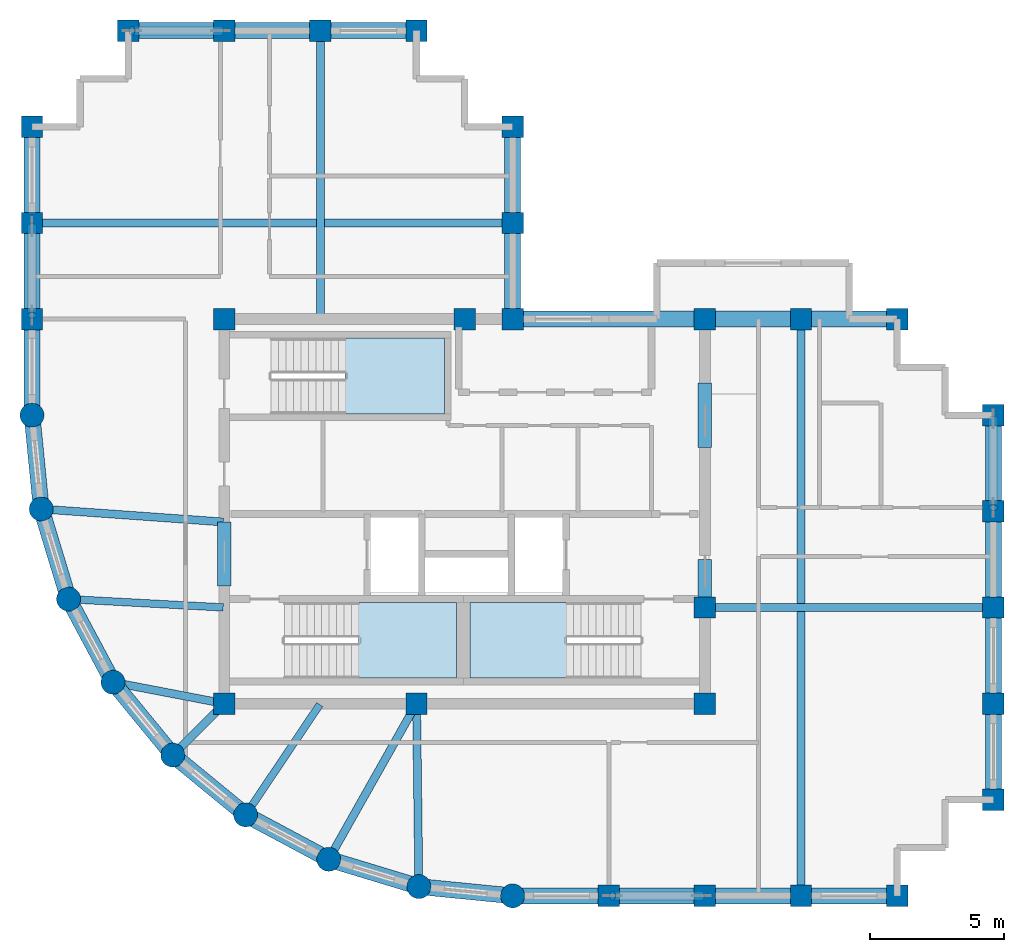
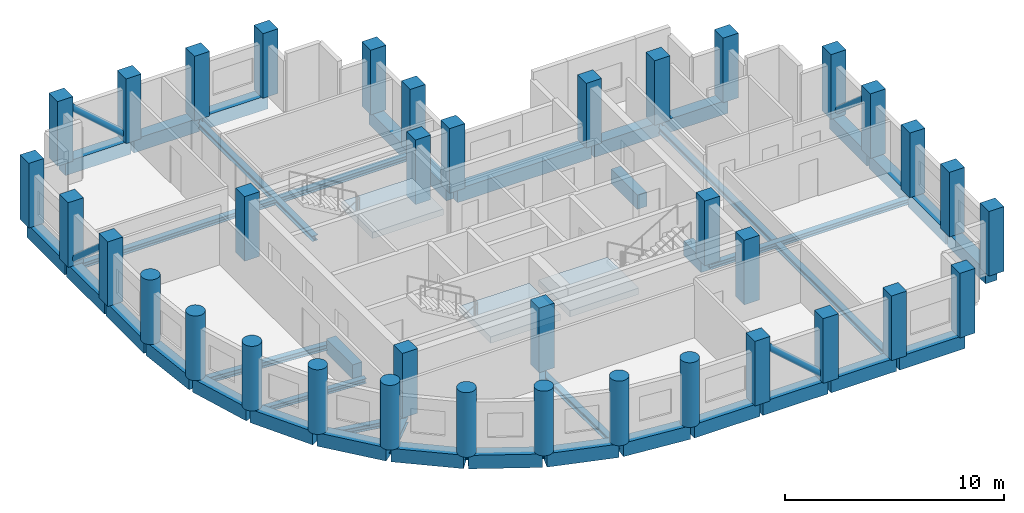
# One storey, part 1 of 6: 41 beams, 37 columns, 4 members, 3 slabs, 3 elements without a shape of their own.
"""IFC4 building model written with IfcOpenShell, lengths in metres."""

from ifc_helpers import new_model, si_unit, direction, frame, origin, origin_2d, place, context, subcontext, project, spatial, polyline, rectangle, circle, hollow_circle, i_section, outline, extrude, material, layer, layer_set, material_profile, profile_set, type_object, element, aggregate, save


model = new_model("IFC4")

# Units and contexts
model_context = context("Model", 3, precision=1e-05, world=origin(), true_north=direction((0.0, 1.0)))
body_context = subcontext(model_context, "Body", "Model", "MODEL_VIEW")
ifc_project = project(units=[si_unit("LENGTHUNIT", "METRE"), si_unit("AREAUNIT", "SQUARE_METRE"), si_unit("VOLUMEUNIT", "CUBIC_METRE"), si_unit("PLANEANGLEUNIT", "RADIAN"), si_unit("MASSUNIT", "GRAM", prefix="KILO")], contexts=[model_context])

# Site, building, storey
site_placement = place(None, origin())
site = spatial("IfcSite", under=ifc_project, at=site_placement, CompositionType="ELEMENT")
building_placement = place(site_placement, origin())
building = spatial("IfcBuilding", under=site, at=building_placement, Name="Solnavia Interchange Tower", CompositionType="ELEMENT")
storey_placement = place(building_placement, frame((0.0, 0.0, 246.199951171875)))
storey = spatial("IfcBuildingStorey", under=building, at=storey_placement, Name="L62", CompositionType="ELEMENT", Elevation=246.199951171875)

# Columns
ifc_material_1 = material(Name="Concrete C50/60", Category="concrete")
ifc_material_profile_1 = material_profile(ifc_material_1, rectangle(XDim=0.800048828125, YDim=0.800048828125, at=origin_2d()), Name="RC 800x800")
ifc_profile_set_1 = profile_set([ifc_material_profile_1], Name="Concrete C50/60")
column_type_1 = type_object("IfcColumnType", Name="Col-RC-800x800", PredefinedType="COLUMN", material=ifc_profile_set_1)
for number, where, z_axis, x_axis, name in (
    (1, (7.199951171875, 25.199951171875, 0.0), (0.0, 0.0, 1.0), (0.0, 1.0, 0.0), "COL-L62-02 Tower perim y column"),
    (2, (7.199951171875, 28.800048828125, 0.0), (0.0, 0.0, 1.0), (0.0, 1.0, 0.0), "COL-L62-03 Tower perim y column"),
    (3, (7.199951171875, 32.39990234375, 0.0), (0.0, 0.0, 1.0), (0.0, 1.0, 0.0), "COL-L62-04 Tower corner column"),
    (4, (10.800048828125, 36.0, 0.0), (0.0, 0.0, 1.0), (1.0, 0.0, 0.0), "COL-L62-08 Tower corner column"),
    (5, (14.39990234375, 10.800048828125, 0.0), (0.0, 0.0, 1.0), (1.0, 0.0, 0.0), "COL-L62-10 Tower interior column"),
    (6, (14.39990234375, 25.199951171875, 0.0), (0.0, 0.0, 1.0), (1.0, 0.0, 0.0), "COL-L62-11 Tower interior column"),
    (7, (14.39990234375, 36.0, 0.0), (0.0, 0.0, 1.0), (1.0, 0.0, 0.0), "COL-L62-12 Tower perim x column"),
    (8, (18.0, 36.0, 0.0), (0.0, 0.0, 1.0), (1.0, 0.0, 0.0), "COL-L62-14 Tower perim x column"),
    (9, (21.60009765625, 10.800048828125, 0.0), (0.0, 0.0, 1.0), (1.0, 0.0, 0.0), "COL-L62-16 Tower interior column"),
    (10, (21.60009765625, 36.0, 0.0), (0.0, 0.0, 1.0), (1.0, 0.0, 0.0), "COL-L62-17 Tower corner column"),
    (11, (23.39990234375, 25.199951171875, 0.0), (0.0, 0.0, 1.0), (1.0, 0.0, 0.0), "COL-L62-19 Tower interior column"),
    (12, (25.199951171875, 25.199951171875, 0.0), (0.0, 0.0, 1.0), (1.0, 0.0, 0.0), "COL-L62-21 Tower interior column"),
    (13, (25.199951171875, 28.800048828125, 0.0), (0.0, 0.0, 1.0), (0.0, 1.0, 0.0), "COL-L62-22 Tower perim y column"),
    (14, (25.199951171875, 32.39990234375, 0.0), (0.0, 0.0, 1.0), (0.0, 1.0, 0.0), "COL-L62-23 Tower corner column"),
    (15, (28.800048828125, 3.60009765625, 0.0), (0.0, 0.0, 1.0), (1.0, 0.0, 0.0), "COL-L62-24 Tower perim x column"),
    (16, (32.39990234375, 3.60009765625, 0.0), (0.0, 0.0, 1.0), (1.0, 0.0, 0.0), "COL-L62-25 Tower perim x column"),
    (17, (32.39990234375, 10.800048828125, 0.0), (0.0, 0.0, 1.0), (1.0, 0.0, 0.0), "COL-L62-26 Tower interior column"),
    (18, (32.39990234375, 14.39990234375, 0.0), (0.0, 0.0, 1.0), (1.0, 0.0, 0.0), "COL-L62-27 Tower interior column"),
    (19, (32.39990234375, 25.199951171875, 0.0), (0.0, 0.0, 1.0), (1.0, 0.0, 0.0), "COL-L62-28 Tower interior column"),
    (20, (36.0, 3.60009765625, 0.0), (0.0, 0.0, 1.0), (1.0, 0.0, 0.0), "COL-L62-29 Tower perim x column"),
    (21, (36.0, 25.199951171875, 0.0), (0.0, 0.0, 1.0), (1.0, 0.0, 0.0), "COL-L62-30 Tower perim x column"),
    (22, (39.60009765625, 3.60009765625, 0.0), (0.0, 0.0, 1.0), (1.0, 0.0, 0.0), "COL-L62-31 Tower corner column"),
    (23, (39.60009765625, 25.199951171875, 0.0), (0.0, 0.0, 1.0), (1.0, 0.0, 0.0), "COL-L62-32 Tower corner column"),
    (24, (43.199951171875, 7.199951171875, 0.0), (0.0, 0.0, 1.0), (1.0, 0.0, 0.0), "COL-L62-33 Tower corner column"),
    (25, (43.199951171875, 10.800048828125, 0.0), (0.0, 0.0, 1.0), (0.0, 1.0, 0.0), "COL-L62-34 Tower perim y column"),
    (26, (43.199951171875, 14.39990234375, 0.0), (0.0, 0.0, 1.0), (0.0, 1.0, 0.0), "COL-L62-35 Tower perim y column"),
    (27, (43.199951171875, 18.0, 0.0), (0.0, 0.0, 1.0), (0.0, 1.0, 0.0), "COL-L62-36 Tower perim y column"),
    (28, (43.199951171875, 21.60009765625, 0.0), (0.0, 0.0, 1.0), (0.0, 1.0, 0.0), "COL-L62-37 Tower corner column"),
):
    element("IfcColumn", number, at=place(storey_placement, frame(where, z_axis=z_axis, x_axis=x_axis)), inside=storey, type_object=column_type_1, Name=name, PredefinedType="COLUMN", context=body_context, shape_type="SweptSolid", body=[
        extrude(rectangle(XDim=0.800048828125, YDim=0.800048828125, at=origin_2d()), origin(), (0.0, 0.0, 1.0), 3.60009765625),
    ])
ifc_material_profile_2 = material_profile(ifc_material_1, circle(Radius=0.449951171875, at=origin_2d()), Name="RC D900")
ifc_profile_set_2 = profile_set([ifc_material_profile_2], Name="Concrete C50/60")
column_type_2 = type_object("IfcColumnType", Name="Col-RC-D900", PredefinedType="COLUMN", material=ifc_profile_set_2)
for number, where, z_axis, x_axis, name in (
    (29, (7.199951171875, 21.60009765625, 0.0), (0.0, 0.0, 1.0), (1.0, 0.0, 0.0), "COL-L62-01 Tower drum column"),
    (30, (7.5458984375, 18.087890625, 0.0), (0.0, 0.0, 1.0), (1.0, 0.0, 0.0), "COL-L62-05 Tower drum column"),
    (31, (8.570068359375, 14.7119140625, 0.0), (0.0, 0.0, 1.0), (1.0, 0.0, 0.0), "COL-L62-06 Tower drum column"),
    (32, (10.23388671875, 11.60009765625, 0.0), (0.0, 0.0, 1.0), (1.0, 0.0, 0.0), "COL-L62-07 Tower drum column"),
    (33, (12.471923828125, 8.8720703125, 0.0), (0.0, 0.0, 1.0), (1.0, 0.0, 0.0), "COL-L62-09 Tower drum column"),
    (34, (15.199951171875, 6.634033203125, 0.0), (0.0, 0.0, 1.0), (1.0, 0.0, 0.0), "COL-L62-13 Tower drum column"),
    (35, (18.31201171875, 4.969970703125, 0.0), (0.0, 0.0, 1.0), (1.0, 0.0, 0.0), "COL-L62-15 Tower drum column"),
    (36, (21.68798828125, 3.946044921875, 0.0), (0.0, 0.0, 1.0), (1.0, 0.0, 0.0), "COL-L62-18 Tower drum column"),
    (37, (25.199951171875, 3.60009765625, 0.0), (0.0, 0.0, 1.0), (1.0, 0.0, 0.0), "COL-L62-20 Tower drum column"),
):
    element("IfcColumn", number, at=place(storey_placement, frame(where, z_axis=z_axis, x_axis=x_axis)), inside=storey, type_object=column_type_2, Name=name, PredefinedType="COLUMN", context=body_context, shape_type="SweptSolid", body=[
        extrude(circle(Radius=0.449951171875, at=origin_2d()), origin(), (0.0, 0.0, 1.0), 3.60009765625),
    ])

# Beams
ifc_material_profile_3 = material_profile(ifc_material_1, rectangle(XDim=0.5, YDim=0.800048828125, at=origin_2d()), Name="RC 500x800")
ifc_profile_set_3 = profile_set([ifc_material_profile_3], Name="Concrete C50/60")
beam_type_1 = type_object("IfcBeamType", Name="Beam-Coupling-RC500x800", PredefinedType="LINTEL", material=ifc_profile_set_3)
beam_1_placement = place(storey_placement, frame((14.39990234375, 15.199951171875, -0.39990234375), z_axis=(0.0, 1.0, 0.0), x_axis=(-1.0, 0.0, 0.0)))
element("IfcBeam", 38, at=beam_1_placement, inside=storey, type_object=beam_type_1, Name="CPB-L62-W1 Core coupling lintel beam", PredefinedType="LINTEL", context=body_context, shape_type="SweptSolid", body=[
    extrude(rectangle(XDim=0.5, YDim=0.800048828125, at=origin_2d()), origin(), (0.0, 0.0, 1.0), 2.400146484375),
])
beam_2_placement = place(storey_placement, frame((32.39990234375, 14.60009765625, -0.39990234375), z_axis=(0.0, 1.0, 0.0), x_axis=(-1.0, 0.0, 0.0)))
element("IfcBeam", 39, at=beam_2_placement, inside=storey, type_object=beam_type_1, Name="CPB-L62-E1 Core coupling lintel beam", PredefinedType="LINTEL", context=body_context, shape_type="SweptSolid", body=[
    extrude(rectangle(XDim=0.5, YDim=0.800048828125, at=origin_2d()), origin(), (0.0, 0.0, 1.0), 1.599853515625),
])
beam_3_placement = place(storey_placement, frame((32.39990234375, 20.39990234375, -0.39990234375), z_axis=(0.0, 1.0, 0.0), x_axis=(-1.0, 0.0, 0.0)))
element("IfcBeam", 40, at=beam_3_placement, inside=storey, type_object=beam_type_1, Name="CPB-L62-E2 Core coupling lintel beam", PredefinedType="LINTEL", context=body_context, shape_type="SweptSolid", body=[
    extrude(rectangle(XDim=0.5, YDim=0.800048828125, at=origin_2d()), origin(), (0.0, 0.0, 1.0), 2.400146484375),
])
ifc_material_2 = material(Name="Steel S460", Category="steel")
ifc_material_profile_4 = material_profile(ifc_material_2, i_section(OverallWidth=0.300048828125, OverallDepth=0.300048828125, WebThickness=0.010986328125, FlangeThickness=0.01904296875, FilletRadius=0.027099609375, at=origin_2d()), Name="HEB 300")
ifc_profile_set_4 = profile_set([ifc_material_profile_4], Name="Steel S460")
beam_type_2 = type_object("IfcBeamType", Name="Beam-Girder-HEB300", PredefinedType="BEAM", material=ifc_profile_set_4)
beam_4_placement = place(storey_placement, frame((32.47998046875, 14.39990234375, -0.39990234375), z_axis=(1.0, 0.0, 0.0), x_axis=(0.0, 1.0, 0.0)))
element("IfcBeam", 41, at=beam_4_placement, inside=storey, type_object=beam_type_2, Name="GRD-L62-ES01 East wing spine girder", PredefinedType="BEAM", context=body_context, shape_type="SweptSolid", body=[
    extrude(i_section(OverallWidth=0.300048828125, OverallDepth=0.300048828125, WebThickness=0.010986328125, FlangeThickness=0.01904296875, FilletRadius=0.027099609375, at=origin_2d()), origin(), (0.0, 0.0, 1.0), 10.64013671875),
])
beam_5_placement = place(storey_placement, frame((18.0, 25.280029296875, -0.39990234375), z_axis=(0.0, 1.0, 0.0), x_axis=(-1.0, 0.0, 0.0)))
element("IfcBeam", 42, at=beam_5_placement, inside=storey, type_object=beam_type_2, Name="GRD-L62-NS03 North wing spine girder", PredefinedType="BEAM", context=body_context, shape_type="SweptSolid", body=[
    extrude(i_section(OverallWidth=0.300048828125, OverallDepth=0.300048828125, WebThickness=0.010986328125, FlangeThickness=0.01904296875, FilletRadius=0.027099609375, at=origin_2d()), origin(), (0.0, 0.0, 1.0), 10.639892578125),
])
beam_6_placement = place(storey_placement, frame((7.280029296875, 28.800048828125, -0.39990234375), z_axis=(1.0, 0.0, 0.0), x_axis=(0.0, 1.0, 0.0)))
element("IfcBeam", 43, at=beam_6_placement, inside=storey, type_object=beam_type_2, Name="GRD-L62-NW04 North wing primary floor girder", PredefinedType="BEAM", context=body_context, shape_type="SweptSolid", body=[
    extrude(i_section(OverallWidth=0.300048828125, OverallDepth=0.300048828125, WebThickness=0.010986328125, FlangeThickness=0.01904296875, FilletRadius=0.027099609375, at=origin_2d()), origin(), (0.0, 0.0, 1.0), 17.840087890625),
])
beam_7_placement = place(storey_placement, frame((10.3125, 11.5849609375, -0.39990234375), z_axis=(0.982057527796, -0.188581579428, 0.0), x_axis=(0.188581579428, 0.982057527796, 0.0)))
element("IfcBeam", 44, at=beam_7_placement, inside=storey, type_object=beam_type_2, Name="GRD-L62-DR07 Drum radial floor girder", PredefinedType="BEAM", context=body_context, shape_type="SweptSolid", body=[
    extrude(i_section(OverallWidth=0.300048828125, OverallDepth=0.300048828125, WebThickness=0.010986328125, FlangeThickness=0.01904296875, FilletRadius=0.027099609375, at=origin_2d()), origin(), (0.0, 0.0, 1.0), 4.1220703125),
])
beam_8_placement = place(storey_placement, frame((18.351318359375, 5.039794921875, -0.39990234375), z_axis=(0.491243158486, 0.871022479182, 0.0), x_axis=(-0.871022479182, 0.491243158486, 0.0)))
element("IfcBeam", 45, at=beam_8_placement, inside=storey, type_object=beam_type_2, Name="GRD-L62-DR10 Drum radial floor girder", PredefinedType="BEAM", context=body_context, shape_type="SweptSolid", body=[
    extrude(i_section(OverallWidth=0.300048828125, OverallDepth=0.300048828125, WebThickness=0.010986328125, FlangeThickness=0.01904296875, FilletRadius=0.027099609375, at=origin_2d()), origin(), (0.0, 0.0, 1.0), 6.5732421875),
])
ifc_material_3 = material(Name="Steel S355", Category="steel")
ifc_material_profile_5 = material_profile(ifc_material_3, i_section(OverallWidth=0.280029296875, OverallDepth=0.27001953125, WebThickness=0.008056640625, FlangeThickness=0.012939453125, FilletRadius=0.02392578125, at=origin_2d()), Name="HEA 280")
ifc_profile_set_5 = profile_set([ifc_material_profile_5], Name="Steel S355")
beam_type_3 = type_object("IfcBeamType", Name="Beam-Primary-HEA280", PredefinedType="BEAM", material=ifc_profile_set_5)
beam_9_placement = place(storey_placement, frame((8.64990234375, 14.707763671875, -0.385009765625), z_axis=(0.998570371303, -0.053452909696, 0.0), x_axis=(0.053452909696, 0.998570371303, 0.0)))
element("IfcBeam", 46, at=beam_9_placement, inside=storey, type_object=beam_type_3, Name="GRD-L62-DR06 Drum radial floor girder", PredefinedType="BEAM", context=body_context, shape_type="SweptSolid", body=[
    extrude(i_section(OverallWidth=0.280029296875, OverallDepth=0.27001953125, WebThickness=0.008056640625, FlangeThickness=0.012939453125, FilletRadius=0.02392578125, at=origin_2d()), origin(), (0.0, 0.0, 1.0), 5.71826171875),
])
beam_10_placement = place(storey_placement, frame((15.24462890625, 6.700439453125, -0.385009765625), z_axis=(0.557835474219, 0.829951555033, 0.0), x_axis=(-0.829951555033, 0.557835474219, 0.0)))
element("IfcBeam", 47, at=beam_10_placement, inside=storey, type_object=beam_type_3, Name="GRD-L62-DR09 Drum radial floor girder", PredefinedType="BEAM", context=body_context, shape_type="SweptSolid", body=[
    extrude(i_section(OverallWidth=0.280029296875, OverallDepth=0.27001953125, WebThickness=0.008056640625, FlangeThickness=0.012939453125, FilletRadius=0.02392578125, at=origin_2d()), origin(), (0.0, 0.0, 1.0), 4.899658203125),
])
ifc_material_profile_6 = material_profile(ifc_material_3, i_section(OverallWidth=0.300048828125, OverallDepth=0.31005859375, WebThickness=0.009033203125, FlangeThickness=0.015380859375, FilletRadius=0.027099609375, at=origin_2d()), Name="HEA 320")
ifc_profile_set_6 = profile_set([ifc_material_profile_6], Name="Steel S355")
beam_type_4 = type_object("IfcBeamType", Name="Beam-Primary-HEA320", PredefinedType="BEAM", material=ifc_profile_set_6)
beam_11_placement = place(storey_placement, frame((36.0, 3.679931640625, -0.405029296875), z_axis=(0.0, 1.0, 0.0), x_axis=(-1.0, 0.0, 0.0)))
element("IfcBeam", 48, at=beam_11_placement, inside=storey, type_object=beam_type_4, Name="GRD-L62-EW02 East wing primary floor girder", PredefinedType="BEAM", context=body_context, shape_type="SweptSolid", body=[
    extrude(i_section(OverallWidth=0.300048828125, OverallDepth=0.31005859375, WebThickness=0.009033203125, FlangeThickness=0.015380859375, FilletRadius=0.027099609375, at=origin_2d()), origin(), (0.0, 0.0, 1.0), 21.440185546875),
])
beam_12_placement = place(storey_placement, frame((7.625732421875, 18.082275390625, -0.405029296875), z_axis=(0.99747482749, -0.071020902015, 0.0), x_axis=(0.071020902015, 0.99747482749, 0.0)))
element("IfcBeam", 49, at=beam_12_placement, inside=storey, type_object=beam_type_4, Name="GRD-L62-DR05 Drum radial floor girder", PredefinedType="BEAM", context=body_context, shape_type="SweptSolid", body=[
    extrude(i_section(OverallWidth=0.300048828125, OverallDepth=0.31005859375, WebThickness=0.009033203125, FlangeThickness=0.015380859375, FilletRadius=0.027099609375, at=origin_2d()), origin(), (0.0, 0.0, 1.0), 6.75146484375),
])
beam_13_placement = place(storey_placement, frame((12.528564453125, 8.9287109375, -0.405029296875), z_axis=(0.707106781187, 0.707106781187, 0.0), x_axis=(-0.707106781187, 0.707106781187, 0.0)))
element("IfcBeam", 50, at=beam_13_placement, inside=storey, type_object=beam_type_4, Name="GRD-L62-DR08 Drum radial floor girder", PredefinedType="BEAM", context=body_context, shape_type="SweptSolid", body=[
    extrude(i_section(OverallWidth=0.300048828125, OverallDepth=0.31005859375, WebThickness=0.009033203125, FlangeThickness=0.015380859375, FilletRadius=0.027099609375, at=origin_2d()), origin(), (0.0, 0.0, 1.0), 2.6064453125),
])
beam_14_placement = place(storey_placement, frame((21.68701171875, 4.02587890625, -0.405029296875), z_axis=(-0.01283293513, 0.999917654498, 0.0), x_axis=(-0.999917654498, -0.01283293513, 0.0)))
element("IfcBeam", 51, at=beam_14_placement, inside=storey, type_object=beam_type_4, Name="GRD-L62-DR11 Drum radial floor girder", PredefinedType="BEAM", context=body_context, shape_type="SweptSolid", body=[
    extrude(i_section(OverallWidth=0.300048828125, OverallDepth=0.31005859375, WebThickness=0.009033203125, FlangeThickness=0.015380859375, FilletRadius=0.027099609375, at=origin_2d()), origin(), (0.0, 0.0, 1.0), 6.734619140625),
])
ifc_material_profile_7 = material_profile(ifc_material_1, rectangle(XDim=0.60009765625, YDim=0.75, at=origin_2d()), Name="RC 600x750")
ifc_profile_set_7 = profile_set([ifc_material_profile_7], Name="Concrete C50/60")
beam_type_5 = type_object("IfcBeamType", Name="Beam-Spandrel-RC600x750", PredefinedType="SPANDREL", material=ifc_profile_set_7)
beam_15_placement = place(storey_placement, frame((7.207763671875, 21.5205078125, -0.375), z_axis=(0.098040038117, -0.995182471171, 0.0), x_axis=(0.995182471171, 0.098040038117, 0.0)))
element("IfcBeam", 52, at=beam_15_placement, inside=storey, type_object=beam_type_5, Name="SPB-L62-01 Framed-tube perimeter spandrel beam", PredefinedType="SPANDREL", context=body_context, shape_type="SweptSolid", body=[
    extrude(rectangle(XDim=0.60009765625, YDim=0.75, at=origin_2d()), origin(), (0.0, 0.0, 1.0), 3.369140625),
])
beam_16_placement = place(storey_placement, frame((7.569091796875, 18.011474609375, -0.375), z_axis=(0.290319223646, -0.956929855518, 0.0), x_axis=(0.956929855518, 0.290319223646, 0.0)))
element("IfcBeam", 53, at=beam_16_placement, inside=storey, type_object=beam_type_5, Name="SPB-L62-02 Framed-tube perimeter spandrel beam", PredefinedType="SPANDREL", context=body_context, shape_type="SweptSolid", body=[
    extrude(rectangle(XDim=0.60009765625, YDim=0.75, at=origin_2d()), origin(), (0.0, 0.0, 1.0), 3.367919921875),
])
beam_17_placement = place(storey_placement, frame((8.607666015625, 14.6416015625, -0.375), z_axis=(0.471509422952, -0.881861023102, 0.0), x_axis=(0.881861023102, 0.471509422952, 0.0)))
element("IfcBeam", 54, at=beam_17_placement, inside=storey, type_object=beam_type_5, Name="SPB-L62-03 Framed-tube perimeter spandrel beam", PredefinedType="SPANDREL", context=body_context, shape_type="SweptSolid", body=[
    extrude(rectangle(XDim=0.60009765625, YDim=0.75, at=origin_2d()), origin(), (0.0, 0.0, 1.0), 3.369140625),
])
for number, where, z_axis, x_axis, name in (
    (55, (10.28466796875, 11.5380859375, -0.375), (0.634298841675, -0.773087950656, 0.0), (0.773087950656, 0.634298841675, 0.0), "SPB-L62-04 Framed-tube perimeter spandrel beam"),
    (56, (12.53369140625, 8.8212890625, -0.375), (0.773152644452, -0.634219984214, 0.0), (0.634219984214, 0.773152644452, 0.0), "SPB-L62-05 Framed-tube perimeter spandrel beam"),
):
    element("IfcBeam", number, at=place(storey_placement, frame(where, z_axis=z_axis, x_axis=x_axis)), inside=storey, type_object=beam_type_5, Name=name, PredefinedType="SPANDREL", context=body_context, shape_type="SweptSolid", body=[
        extrude(rectangle(XDim=0.60009765625, YDim=0.75, at=origin_2d()), origin(), (0.0, 0.0, 1.0), 3.36865234375),
    ])
beam_18_placement = place(storey_placement, frame((15.2705078125, 6.59619140625, -0.375), z_axis=(0.881875044348, -0.47148319817, 0.0), x_axis=(0.47148319817, 0.881875044348, 0.0)))
element("IfcBeam", 57, at=beam_18_placement, inside=storey, type_object=beam_type_5, Name="SPB-L62-06 Framed-tube perimeter spandrel beam", PredefinedType="SPANDREL", context=body_context, shape_type="SweptSolid", body=[
    extrude(rectangle(XDim=0.60009765625, YDim=0.75, at=origin_2d()), origin(), (0.0, 0.0, 1.0), 3.368896484375),
])
beam_19_placement = place(storey_placement, frame((18.388671875, 4.94677734375, -0.375), z_axis=(0.956943884494, -0.290272978297, 0.0), x_axis=(0.290272978297, 0.956943884494, 0.0)))
element("IfcBeam", 58, at=beam_19_placement, inside=storey, type_object=beam_type_5, Name="SPB-L62-07 Framed-tube perimeter spandrel beam", PredefinedType="SPANDREL", context=body_context, shape_type="SweptSolid", body=[
    extrude(rectangle(XDim=0.60009765625, YDim=0.75, at=origin_2d()), origin(), (0.0, 0.0, 1.0), 3.36767578125),
])
beam_20_placement = place(storey_placement, frame((21.767578125, 3.938232421875, -0.375), z_axis=(0.995181774609, -0.098047108501, 0.0), x_axis=(0.098047108501, 0.995181774609, 0.0)))
element("IfcBeam", 59, at=beam_20_placement, inside=storey, type_object=beam_type_5, Name="SPB-L62-08 Framed-tube perimeter spandrel beam", PredefinedType="SPANDREL", context=body_context, shape_type="SweptSolid", body=[
    extrude(rectangle(XDim=0.60009765625, YDim=0.75, at=origin_2d()), origin(), (0.0, 0.0, 1.0), 3.368896484375),
])
beam_21_placement = place(storey_placement, frame((25.280029296875, 3.60009765625, -0.375), z_axis=(1.0, 0.0, 0.0), x_axis=(0.0, 1.0, 0.0)))
element("IfcBeam", 60, at=beam_21_placement, inside=storey, type_object=beam_type_5, Name="SPB-L62-09 Framed-tube perimeter spandrel beam", PredefinedType="SPANDREL", context=body_context, shape_type="SweptSolid", body=[
    extrude(rectangle(XDim=0.60009765625, YDim=0.75, at=origin_2d()), origin(), (0.0, 0.0, 1.0), 3.43994140625),
])
beam_22_placement = place(storey_placement, frame((28.8798828125, 3.60009765625, -0.375), z_axis=(1.0, 0.0, 0.0), x_axis=(0.0, 1.0, 0.0)))
element("IfcBeam", 61, at=beam_22_placement, inside=storey, type_object=beam_type_5, Name="SPB-L62-10 Framed-tube perimeter spandrel beam", PredefinedType="SPANDREL", context=body_context, shape_type="SweptSolid", body=[
    extrude(rectangle(XDim=0.60009765625, YDim=0.75, at=origin_2d()), origin(), (0.0, 0.0, 1.0), 3.440185546875),
])
for number, where, z_axis, x_axis, name in (
    (62, (32.47998046875, 3.60009765625, -0.375), (1.0, 0.0, 0.0), (0.0, 1.0, 0.0), "SPB-L62-11 Framed-tube perimeter spandrel beam"),
    (63, (36.080078125, 3.60009765625, -0.375), (1.0, 0.0, 0.0), (0.0, 1.0, 0.0), "SPB-L62-12 Framed-tube perimeter spandrel beam"),
    (64, (43.199951171875, 7.280029296875, -0.375), (0.0, 1.0, 0.0), (-1.0, 0.0, 0.0), "SPB-L62-13 Framed-tube perimeter spandrel beam"),
):
    element("IfcBeam", number, at=place(storey_placement, frame(where, z_axis=z_axis, x_axis=x_axis)), inside=storey, type_object=beam_type_5, Name=name, PredefinedType="SPANDREL", context=body_context, shape_type="SweptSolid", body=[
        extrude(rectangle(XDim=0.60009765625, YDim=0.75, at=origin_2d()), origin(), (0.0, 0.0, 1.0), 3.43994140625),
    ])
beam_23_placement = place(storey_placement, frame((43.199951171875, 10.8798828125, -0.375), z_axis=(0.0, 1.0, 0.0), x_axis=(-1.0, 0.0, 0.0)))
element("IfcBeam", 65, at=beam_23_placement, inside=storey, type_object=beam_type_5, Name="SPB-L62-14 Framed-tube perimeter spandrel beam", PredefinedType="SPANDREL", context=body_context, shape_type="SweptSolid", body=[
    extrude(rectangle(XDim=0.60009765625, YDim=0.75, at=origin_2d()), origin(), (0.0, 0.0, 1.0), 3.440185546875),
])
for number, where, z_axis, x_axis, name in (
    (66, (43.199951171875, 14.47998046875, -0.375), (0.0, 1.0, 0.0), (-1.0, 0.0, 0.0), "SPB-L62-15 Framed-tube perimeter spandrel beam"),
    (67, (43.199951171875, 18.080078125, -0.375), (0.0, 1.0, 0.0), (-1.0, 0.0, 0.0), "SPB-L62-16 Framed-tube perimeter spandrel beam"),
    (68, (39.52001953125, 25.199951171875, -0.375), (-1.0, 0.0, 0.0), (0.0, -1.0, 0.0), "SPB-L62-17 Framed-tube perimeter spandrel beam"),
    (69, (35.919921875, 25.199951171875, -0.375), (-1.0, 0.0, 0.0), (0.0, -1.0, 0.0), "SPB-L62-18 Framed-tube perimeter spandrel beam"),
):
    element("IfcBeam", number, at=place(storey_placement, frame(where, z_axis=z_axis, x_axis=x_axis)), inside=storey, type_object=beam_type_5, Name=name, PredefinedType="SPANDREL", context=body_context, shape_type="SweptSolid", body=[
        extrude(rectangle(XDim=0.60009765625, YDim=0.75, at=origin_2d()), origin(), (0.0, 0.0, 1.0), 3.43994140625),
    ])
beam_24_placement = place(storey_placement, frame((32.320068359375, 25.199951171875, -0.375), z_axis=(-1.0, 0.0, 0.0), x_axis=(0.0, -1.0, 0.0)))
element("IfcBeam", 70, at=beam_24_placement, inside=storey, type_object=beam_type_5, Name="SPB-L62-19 Framed-tube perimeter spandrel beam", PredefinedType="SPANDREL", context=body_context, shape_type="SweptSolid", body=[
    extrude(rectangle(XDim=0.60009765625, YDim=0.75, at=origin_2d()), origin(), (0.0, 0.0, 1.0), 7.0400390625),
])
beam_25_placement = place(storey_placement, frame((25.199951171875, 25.280029296875, -0.375), z_axis=(0.0, 1.0, 0.0), x_axis=(-1.0, 0.0, 0.0)))
element("IfcBeam", 71, at=beam_25_placement, inside=storey, type_object=beam_type_5, Name="SPB-L62-20 Framed-tube perimeter spandrel beam", PredefinedType="SPANDREL", context=body_context, shape_type="SweptSolid", body=[
    extrude(rectangle(XDim=0.60009765625, YDim=0.75, at=origin_2d()), origin(), (0.0, 0.0, 1.0), 3.43994140625),
])
beam_26_placement = place(storey_placement, frame((25.199951171875, 28.8798828125, -0.375), z_axis=(0.0, 1.0, 0.0), x_axis=(-1.0, 0.0, 0.0)))
element("IfcBeam", 72, at=beam_26_placement, inside=storey, type_object=beam_type_5, Name="SPB-L62-21 Framed-tube perimeter spandrel beam", PredefinedType="SPANDREL", context=body_context, shape_type="SweptSolid", body=[
    extrude(rectangle(XDim=0.60009765625, YDim=0.75, at=origin_2d()), origin(), (0.0, 0.0, 1.0), 3.440185546875),
])
for number, where, z_axis, x_axis, name in (
    (73, (21.52001953125, 36.0, -0.375), (-1.0, 0.0, 0.0), (0.0, -1.0, 0.0), "SPB-L62-22 Framed-tube perimeter spandrel beam"),
    (74, (17.919921875, 36.0, -0.375), (-1.0, 0.0, 0.0), (0.0, -1.0, 0.0), "SPB-L62-23 Framed-tube perimeter spandrel beam"),
):
    element("IfcBeam", number, at=place(storey_placement, frame(where, z_axis=z_axis, x_axis=x_axis)), inside=storey, type_object=beam_type_5, Name=name, PredefinedType="SPANDREL", context=body_context, shape_type="SweptSolid", body=[
        extrude(rectangle(XDim=0.60009765625, YDim=0.75, at=origin_2d()), origin(), (0.0, 0.0, 1.0), 3.43994140625),
    ])
for number, where, z_axis, x_axis, name in (
    (75, (14.320068359375, 36.0, -0.375), (-1.0, 0.0, 0.0), (0.0, -1.0, 0.0), "SPB-L62-24 Framed-tube perimeter spandrel beam"),
    (76, (7.199951171875, 32.320068359375, -0.375), (0.0, -1.0, 0.0), (1.0, 0.0, 0.0), "SPB-L62-25 Framed-tube perimeter spandrel beam"),
):
    element("IfcBeam", number, at=place(storey_placement, frame(where, z_axis=z_axis, x_axis=x_axis)), inside=storey, type_object=beam_type_5, Name=name, PredefinedType="SPANDREL", context=body_context, shape_type="SweptSolid", body=[
        extrude(rectangle(XDim=0.60009765625, YDim=0.75, at=origin_2d()), origin(), (0.0, 0.0, 1.0), 3.440185546875),
    ])
beam_27_placement = place(storey_placement, frame((7.199951171875, 28.719970703125, -0.375), z_axis=(0.0, -1.0, 0.0), x_axis=(1.0, 0.0, 0.0)))
element("IfcBeam", 77, at=beam_27_placement, inside=storey, type_object=beam_type_5, Name="SPB-L62-26 Framed-tube perimeter spandrel beam", PredefinedType="SPANDREL", context=body_context, shape_type="SweptSolid", body=[
    extrude(rectangle(XDim=0.60009765625, YDim=0.75, at=origin_2d()), origin(), (0.0, 0.0, 1.0), 3.43994140625),
])
beam_28_placement = place(storey_placement, frame((7.199951171875, 25.1201171875, -0.375), z_axis=(0.0, -1.0, 0.0), x_axis=(1.0, 0.0, 0.0)))
element("IfcBeam", 78, at=beam_28_placement, inside=storey, type_object=beam_type_5, Name="SPB-L62-27 Framed-tube perimeter spandrel beam", PredefinedType="SPANDREL", context=body_context, shape_type="SweptSolid", body=[
    extrude(rectangle(XDim=0.60009765625, YDim=0.75, at=origin_2d()), origin(), (0.0, 0.0, 1.0), 3.440185546875),
])

# Members
ifc_material_profile_8 = material_profile(ifc_material_2, hollow_circle(Radius=0.177734375, WallThickness=0.01611328125, at=origin_2d()), Name="CHS 355.6x16")
ifc_profile_set_8 = profile_set([ifc_material_profile_8], Name="Steel S460")
member_type = type_object("IfcMemberType", Name="Brace-Perim-CHS355", PredefinedType="BRACE", material=ifc_profile_set_8)
member_1_placement = place(storey_placement, frame((32.260009765625, 3.60009765625, 0.179931640625), z_axis=(-0.750881082247, 0.0, 0.660437431043), x_axis=(0.0, -1.0, 0.0)))
element("IfcMember", 79, at=member_1_placement, inside=storey, type_object=member_type, Name="BRC-L62-01 Perimeter tube diagonal brace", PredefinedType="BRACE", context=body_context, shape_type="SweptSolid", body=[
    extrude(hollow_circle(Radius=0.177734375, WallThickness=0.01611328125, at=origin_2d()), origin(), (0.0, 0.0, 1.0), 4.421630859375),
])
member_2_placement = place(storey_placement, frame((7.199951171875, 28.659912109375, 0.179931640625), z_axis=(0.0, -0.750856996809, 0.660464813857), x_axis=(1.0, 0.0, 0.0)))
element("IfcMember", 80, at=member_2_placement, inside=storey, type_object=member_type, Name="BRC-L62-02 Perimeter tube diagonal brace", PredefinedType="BRACE", context=body_context, shape_type="SweptSolid", body=[
    extrude(hollow_circle(Radius=0.177734375, WallThickness=0.01611328125, at=origin_2d()), origin(), (0.0, 0.0, 1.0), 4.42138671875),
])
for number, where, z_axis, x_axis, name in (
    (81, (43.199951171875, 21.4599609375, 0.179931640625), (0.0, -0.750881082247, 0.660437431043), (1.0, 0.0, 0.0), "BRC-L62-03 Perimeter tube diagonal brace"),
    (82, (14.260009765625, 36.0, 0.179931640625), (-0.750881082247, 0.0, 0.660437431043), (0.0, -1.0, 0.0), "BRC-L62-04 Perimeter tube diagonal brace"),
):
    element("IfcMember", number, at=place(storey_placement, frame(where, z_axis=z_axis, x_axis=x_axis)), inside=storey, type_object=member_type, Name=name, PredefinedType="BRACE", context=body_context, shape_type="SweptSolid", body=[
        extrude(hollow_circle(Radius=0.177734375, WallThickness=0.01611328125, at=origin_2d()), origin(), (0.0, 0.0, 1.0), 4.421630859375),
    ])

# Stair, slab
ifc_material_4 = material(Name="Concrete C40/50", Category="concrete")
stair_type = type_object("IfcStairType", Name="Stair-Dogleg-RC", PredefinedType="HALF_TURN_STAIR", material=ifc_material_4)
stair_1_placement = place(storey_placement, origin())
stair_1 = element("IfcStair", 83, at=stair_1_placement, inside=storey, type_object=stair_type, Name="L62 Core exit stair 1", PredefinedType="HALF_TURN_STAIR")
ifc_layer = layer(ifc_material_4, 0.35009765625)
ifc_layer_set = layer_set([ifc_layer], Name="Concrete C40/50")
slab_type = type_object("IfcSlabType", Name="Slab-StairLanding-350", PredefinedType="LANDING", material=ifc_layer_set)
slab_1_placement = place(storey_placement, frame((0.0, 0.0, 1.449951171875)))
slab_1 = element("IfcSlab", 84, at=slab_1_placement, type_object=slab_type, Name="ST-1 landing 1", PredefinedType="LANDING", context=body_context, shape_type="SweptSolid", body=[
    extrude(outline(polyline([(19.427978515625, 11.75), (23.10009765625, 11.75), (23.10009765625, 14.590087890625), (19.427978515625, 14.590087890625), (19.427978515625, 11.75)])), origin(), (0.0, 0.0, 1.0), 0.35009765625),
])
aggregate(stair_1, [slab_1])

stair_2_placement = place(storey_placement, origin())
stair_2 = element("IfcStair", 85, at=stair_2_placement, inside=storey, type_object=stair_type, Name="L62 Core exit stair 2", PredefinedType="HALF_TURN_STAIR")
slab_2_placement = place(storey_placement, frame((0.0, 0.0, 1.449951171875)))
slab_2 = element("IfcSlab", 86, at=slab_2_placement, type_object=slab_type, Name="ST-2 landing 1", PredefinedType="LANDING", context=body_context, shape_type="SweptSolid", body=[
    extrude(outline(polyline([(23.60009765625, 11.75), (27.221923828125, 11.75), (27.221923828125, 14.590087890625), (23.60009765625, 14.590087890625), (23.60009765625, 11.75)])), origin(), (0.0, 0.0, 1.0), 0.35009765625),
])
aggregate(stair_2, [slab_2])

stair_3_placement = place(storey_placement, origin())
stair_3 = element("IfcStair", 87, at=stair_3_placement, inside=storey, type_object=stair_type, Name="L62 Core exit stair 3", PredefinedType="HALF_TURN_STAIR")
slab_3_placement = place(storey_placement, frame((0.0, 0.0, 1.449951171875)))
slab_3 = element("IfcSlab", 88, at=slab_3_placement, type_object=slab_type, Name="ST-3 landing 1", PredefinedType="LANDING", context=body_context, shape_type="SweptSolid", body=[
    extrude(outline(polyline([(18.927978515625, 21.64990234375), (22.64990234375, 21.64990234375), (22.64990234375, 24.489990234375), (18.927978515625, 24.489990234375), (18.927978515625, 21.64990234375)])), origin(), (0.0, 0.0, 1.0), 0.35009765625),
])
aggregate(stair_3, [slab_3])

save(model, "model.ifc")
